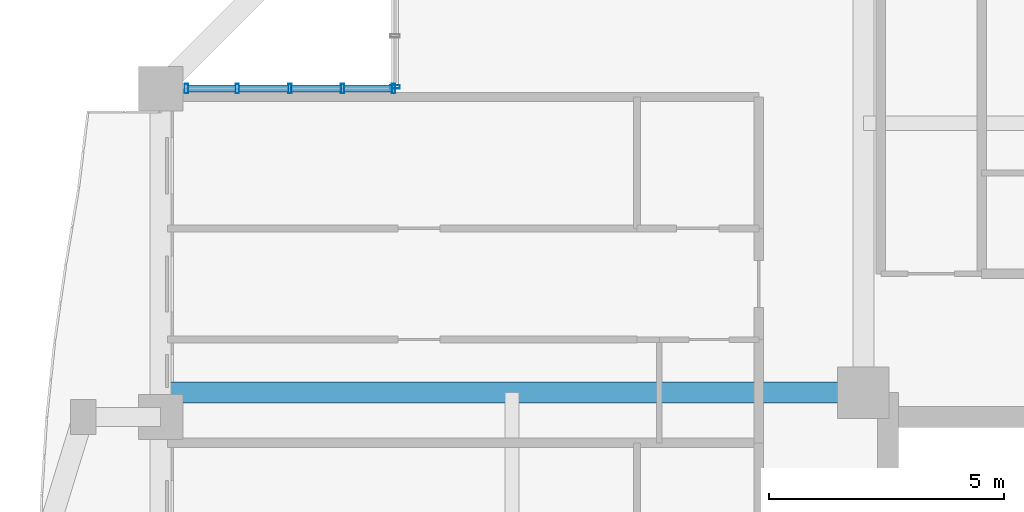
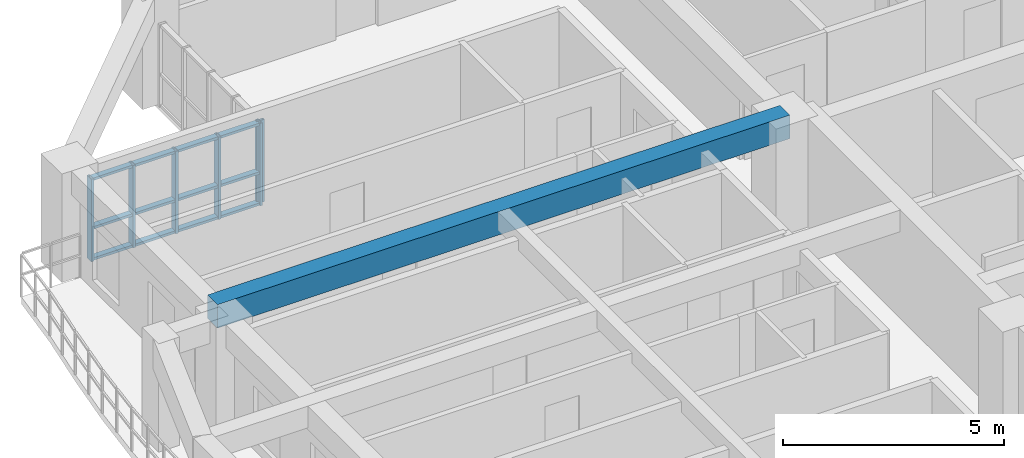
# One storey, part 6 of 23: 18 members, 1 beam, 2 elements without a shape of their own.
"""IFC4 building model written with IfcOpenShell, lengths in metres."""

import ifcopenshell
import ifcopenshell.guid

model = None  # the IFC model being written
_history = None  # IfcOwnerHistory: only IFC2X3 demands one
_inside = {}  # id of a spatial element -> (the spatial element, [elements in it])
_under = {}  # id of a project, library or spatial element -> (it, [spatial elements below it])
_declared = {}  # id of a project -> (the project, [libraries it declares])
_typed = {}  # id of a type object -> (the type object, [elements of that type])
_made_of = {}  # id of a material, layer set ... -> (it, [elements and type objects made of it])


def new_model(schema):
    """Start an empty IFC model of exactly this schema.

    Asked for "IFC4X3", IfcOpenShell would pick the latest addendum, in which some entities
    have other attributes; the version numbers below select the first issue.
    IFC2X3 requires an IfcOwnerHistory on every rooted entity: one is made here for all.
    """
    global model, _history
    if schema == "IFC4X3":
        model = ifcopenshell.file(schema_version=(4, 3, 0, 0))
    else:
        model = ifcopenshell.file(schema=schema)
    _inside.clear()
    _under.clear()
    _declared.clear()
    _typed.clear()
    _made_of.clear()
    _history = None
    if model.schema == "IFC2X3":
        org = make("IfcOrganization", Name="unknown")
        user = make(
            "IfcPersonAndOrganization",
            ThePerson=make("IfcPerson", FamilyName="unknown"),
            TheOrganization=org,
        )
        app = make(
            "IfcApplication",
            ApplicationDeveloper=org,
            Version="unknown",
            ApplicationFullName="unknown",
            ApplicationIdentifier="unknown",
        )
        _history = make(
            "IfcOwnerHistory",
            OwningUser=user,
            OwningApplication=app,
            ChangeAction="ADDED",
            CreationDate=0,
        )
    return model


def make(cls, **values):
    """One entity of the class cls with the attributes given. An attribute that is None is left unset."""
    return model.create_entity(
        cls, **{name: value for name, value in values.items() if value is not None}
    )


def rooted(cls, **values):
    """An entity with a GlobalId (a new one), such as an element, a storey or a relation."""
    return make(cls, GlobalId=ifcopenshell.guid.new(), OwnerHistory=_history, **values)


def si_unit(unit_type, name, prefix=None):
    """IfcSIUnit, for example si_unit("LENGTHUNIT", "METRE", prefix="MILLI")."""
    return make("IfcSIUnit", UnitType=unit_type, Prefix=prefix, Name=name)


def assignment(units):
    """IfcUnitAssignment: the units of a project."""
    return None if units is None else make("IfcUnitAssignment", Units=units)


def point(xyz):
    """IfcCartesianPoint."""
    return None if xyz is None else make("IfcCartesianPoint", Coordinates=xyz)


def direction(xyz):
    """IfcDirection."""
    return None if xyz is None else make("IfcDirection", DirectionRatios=xyz)


def frame(location, z_axis=None, x_axis=None):
    """IfcAxis2Placement3D, a coordinate frame: its origin and axes. An axis left out is left unset."""
    return make(
        "IfcAxis2Placement3D",
        Location=point(location),
        Axis=direction(z_axis),
        RefDirection=direction(x_axis),
    )


def frame_2d(location, x_axis=None):
    """IfcAxis2Placement2D, a coordinate frame in the plane: its origin and x axis."""
    return make(
        "IfcAxis2Placement2D", Location=point(location), RefDirection=direction(x_axis)
    )


def origin():
    """The frame at (0, 0, 0) with its axes left unset."""
    return frame((0.0, 0.0, 0.0))


def origin_2d():
    """The frame at (0, 0) in the plane with its x axis left unset."""
    return frame_2d((0.0, 0.0))


def place(relative_to, where):
    """IfcLocalPlacement: puts the frame where relative to a parent placement (None: the world)."""
    return make(
        "IfcLocalPlacement", PlacementRelTo=relative_to, RelativePlacement=where
    )


def context(
    kind, dimensions, precision=None, world=None, true_north=None, identifier=None
):
    """IfcGeometricRepresentationContext, for example the 3D "Model" context."""
    return make(
        "IfcGeometricRepresentationContext",
        ContextIdentifier=identifier,
        ContextType=kind,
        CoordinateSpaceDimension=dimensions,
        Precision=precision,
        WorldCoordinateSystem=world,
        TrueNorth=true_north,
    )


def subcontext(parent, identifier, kind, view, scale=None):
    """IfcGeometricRepresentationSubContext, for example "Body" below "Model"."""
    return make(
        "IfcGeometricRepresentationSubContext",
        ContextIdentifier=identifier,
        ContextType=kind,
        ParentContext=parent,
        TargetScale=scale,
        TargetView=view,
    )


def project(units=None, contexts=None):
    """IfcProject with its units and contexts."""
    return rooted(
        "IfcProject",
        Name="project",
        RepresentationContexts=contexts,
        UnitsInContext=assignment(units),
    )


def spatial(cls, under=None, at=None, **own):
    """A site, building, storey or space (cls), placed at a placement, below another one or the project."""
    s = rooted(cls, ObjectPlacement=at, **own)
    if under is not None:
        _under.setdefault(under.id(), (under, []))[1].append(s)
    return s


def profile(cls, at=None, kind="AREA", **sizes):
    """A parametric profile (cls). Its sizes go by their IFC names, for example OverallWidth=200.0."""
    return make(cls, ProfileType=kind, Position=at, **sizes)


def rectangle(**sizes):
    """IfcRectangleProfileDef."""
    return profile("IfcRectangleProfileDef", **sizes)


def hollow_rectangle(**sizes):
    """IfcRectangleHollowProfileDef."""
    return profile("IfcRectangleHollowProfileDef", **sizes)


def extrude(swept, where, along, depth):
    """IfcExtrudedAreaSolid: the profile swept, set in the frame where, extruded along a direction by depth."""
    return make(
        "IfcExtrudedAreaSolid",
        SweptArea=swept,
        Position=where,
        ExtrudedDirection=direction(along),
        Depth=depth,
    )


def shape(context_of_items, identifier, shape_type, items):
    """IfcShapeRepresentation: the items that make up one representation, for example the "Body"."""
    return make(
        "IfcShapeRepresentation",
        ContextOfItems=context_of_items,
        RepresentationIdentifier=identifier,
        RepresentationType=shape_type,
        Items=items,
    )


def source(mapping_origin, context_of_items, identifier, shape_type, items):
    """IfcRepresentationMap: a shape defined once, which mapped items show again and again."""
    return make(
        "IfcRepresentationMap",
        MappingOrigin=mapping_origin,
        MappedRepresentation=shape(context_of_items, identifier, shape_type, items),
    )


def transform(
    local_origin,
    x_axis=None,
    y_axis=None,
    z_axis=None,
    scale=None,
    scale2=None,
    scale3=None,
    uniform=True,
):
    """IfcCartesianTransformationOperator3D, or its non-uniform kind. x_axis, y_axis, z_axis: its Axis1, 2, 3."""
    if uniform:
        return make(
            "IfcCartesianTransformationOperator3D",
            Axis1=direction(x_axis),
            Axis2=direction(y_axis),
            LocalOrigin=point(local_origin),
            Scale=scale,
            Axis3=direction(z_axis),
        )
    return make(
        "IfcCartesianTransformationOperator3DnonUniform",
        Axis1=direction(x_axis),
        Axis2=direction(y_axis),
        LocalOrigin=point(local_origin),
        Scale=scale,
        Axis3=direction(z_axis),
        Scale2=scale2,
        Scale3=scale3,
    )


def mapped(mapping_source, mapping_target):
    """IfcMappedItem: shows the shape of a source again, moved by a transform."""
    return make(
        "IfcMappedItem", MappingSource=mapping_source, MappingTarget=mapping_target
    )


def material(Name=None, Category=None):
    """IfcMaterial."""
    return make("IfcMaterial", Name=Name, Category=Category)


def layer(
    of_material, thickness, ventilated=None, Name=None, Category=None, Priority=None
):
    """IfcMaterialLayer: one layer of a wall or slab, of a material (None: an air gap)."""
    return make(
        "IfcMaterialLayer",
        Material=of_material,
        LayerThickness=thickness,
        IsVentilated=ventilated,
        Name=Name,
        Category=Category,
        Priority=Priority,
    )


def layer_set(layers, Name=None):
    """IfcMaterialLayerSet."""
    return make("IfcMaterialLayerSet", MaterialLayers=layers, LayerSetName=Name)


def material_profile(
    of_material, cross_section, Name=None, Category=None, Priority=None
):
    """IfcMaterialProfile: a cross section and its material."""
    return make(
        "IfcMaterialProfile",
        Name=Name,
        Material=of_material,
        Profile=cross_section,
        Priority=Priority,
        Category=Category,
    )


def profile_set(profiles, Name=None, composite=None):
    """IfcMaterialProfileSet."""
    return make(
        "IfcMaterialProfileSet",
        Name=Name,
        MaterialProfiles=profiles,
        CompositeProfile=composite,
    )


def made_of(thing, what):
    """Note that an element or type object is made of a material, layer set ...; save() writes the relation."""
    if what is not None:
        _made_of.setdefault(what.id(), (what, []))[1].append(thing)
    return thing


def type_object(cls, material=None, **own):
    """A type object (cls), such as IfcWallType, which elements share."""
    return made_of(rooted(cls, **own), material)


def element(
    cls,
    number,
    at=None,
    inside=None,
    cuts=None,
    type_object=None,
    material=None,
    context=None,
    identifier="Body",
    shape_type=None,
    held_by="IfcProductDefinitionShape",
    body=None,
    shapes=None,
    **own,
):
    """One element of the class cls, such as IfcWall. Its Tag is "e" and its number.

    at: its placement. inside: the storey or other place that contains it. cuts: it is an
    opening in that element (IfcRelVoidsElement). A single representation is given by context,
    identifier, shape_type and body (its items); several are given by shapes. held_by: the class
    of the entity that holds the representations. save() writes the other relations.
    """
    e = rooted(cls, Tag="e%d" % number, ObjectPlacement=at, **own)
    if body is not None:
        shapes = [shape(context, identifier, shape_type, body)]
    if shapes is not None:
        e.Representation = make(held_by, Representations=shapes)
    if inside is not None:
        _inside.setdefault(inside.id(), (inside, []))[1].append(e)
    if cuts is not None:
        rooted(
            "IfcRelVoidsElement", RelatingBuildingElement=cuts, RelatedOpeningElement=e
        )
    if type_object is not None:
        _typed.setdefault(type_object.id(), (type_object, []))[1].append(e)
    return made_of(e, material)


def aggregate(whole, parts):
    """IfcRelAggregates: a whole, such as a stair, and the parts it consists of."""
    return rooted("IfcRelAggregates", RelatingObject=whole, RelatedObjects=parts)


def save(model, path):
    """Write the relations noted so far, then the file.

    IfcRelAggregates (storeys below a building ...), IfcRelContainedInSpatialStructure (elements
    in a storey), IfcRelDefinesByType, IfcRelAssociatesMaterial and IfcRelDeclares: one each for
    every whole, place, type object, material and project.
    """
    for whole, parts in _under.values():
        aggregate(whole, parts)
    for where, things in _inside.values():
        rooted(
            "IfcRelContainedInSpatialStructure",
            RelatedElements=things,
            RelatingStructure=where,
        )
    for kind, things in _typed.values():
        rooted("IfcRelDefinesByType", RelatedObjects=things, RelatingType=kind)
    for what, things in _made_of.values():
        rooted("IfcRelAssociatesMaterial", RelatedObjects=things, RelatingMaterial=what)
    for by, libraries in _declared.values():
        rooted("IfcRelDeclares", RelatingContext=by, RelatedDefinitions=libraries)
    model.write(path)


model = new_model("IFC4")

# Units and contexts
model_context = context("Model", 3, precision=1e-05, world=origin(), true_north=direction((0.0, 1.0)))
body_context = subcontext(model_context, "Body", "Model", "MODEL_VIEW")
ifc_project = project(units=[si_unit("LENGTHUNIT", "METRE"), si_unit("AREAUNIT", "SQUARE_METRE"), si_unit("VOLUMEUNIT", "CUBIC_METRE"), si_unit("PLANEANGLEUNIT", "RADIAN"), si_unit("MASSUNIT", "GRAM", prefix="KILO")], contexts=[model_context])

# Site, building, storey
site_placement = place(None, origin())
site = spatial("IfcSite", under=ifc_project, at=site_placement, CompositionType="ELEMENT")
building_placement = place(site_placement, origin())
building = spatial("IfcBuilding", under=site, at=building_placement, Name="Saelheon Loggia Tower", CompositionType="ELEMENT")
storey_placement = place(building_placement, frame((0.0, 0.0, 156.10009765625)))
storey = spatial("IfcBuildingStorey", under=building, at=storey_placement, Name="L49", CompositionType="ELEMENT", Elevation=156.10009765625)

# Beam
ifc_material_1 = material(Name="Concrete C40/50", Category="concrete")
ifc_material_profile_1 = material_profile(ifc_material_1, rectangle(XDim=0.449951171875, YDim=0.64990234375, at=origin_2d()), Name="RC-450x650")
ifc_profile_set_1 = profile_set([ifc_material_profile_1], Name="Concrete C40/50")
beam_type = type_object("IfcBeamType", Name="Beam_TowerGirder_RC450x650", PredefinedType="BEAM", material=ifc_profile_set_1)
shared_shape_1 = source(origin(), body_context, "Body", "SweptSolid", [
    extrude(rectangle(XDim=0.449951171875, YDim=0.64990234375, at=origin_2d()), origin(), (0.0, 0.0, 1.0), 14.97998046875),
])
beam_placement = place(storey_placement, frame((30.97998046875, 36.52001953125, 2.6748046875), z_axis=(-1.0, 0.0, 0.0), x_axis=(0.0, -1.0, 0.0)))
element("IfcBeam", 1, at=beam_placement, inside=storey, type_object=beam_type, Name="L49 Radial Floor Girder RAD-NW-W", PredefinedType="BEAM", context=body_context, shape_type="MappedRepresentation", body=[
    mapped(shared_shape_1, transform((0.0, 0.0, 0.0), scale=1.0)),
])

# Curtain wall, member
ifc_material_2 = material(Name="High-Wind Aluminium and Triple Laminated Glass", Category="aluminium")
ifc_layer = layer(ifc_material_2, 0.179931640625)
ifc_layer_set = layer_set([ifc_layer], Name="High-Wind Aluminium and Triple Laminated Glass")
curtain_wall_type = type_object("IfcCurtainWallType", Name="CW_TowerLoggiaHigh", PredefinedType="NOTDEFINED", material=ifc_layer_set)
curtain_wall_1_placement = place(storey_placement, origin())
curtain_wall_1 = element("IfcCurtainWall", 2, at=curtain_wall_1_placement, inside=storey, type_object=curtain_wall_type, Name="L49 Corner Notch Glazing NW1", PredefinedType="NOTDEFINED")
ifc_material_3 = material(Name="Anodised Aluminium 6063-T6", Category="aluminium")
ifc_material_profile_2 = material_profile(ifc_material_3, hollow_rectangle(XDim=0.070068359375, YDim=0.199951171875, WallThickness=0.0048828125, at=origin_2d()), Name="RHS-200x70x5")
ifc_profile_set_2 = profile_set([ifc_material_profile_2], Name="Anodised Aluminium 6063-T6")
member_type_1 = type_object("IfcMemberType", Name="CW_TowerLoggiaHigh_Mullion", PredefinedType="MULLION", material=ifc_profile_set_2)
shared_shape_2 = source(origin(), body_context, "Body", "SweptSolid", [
    extrude(hollow_rectangle(XDim=0.070068359375, YDim=0.199951171875, WallThickness=0.0048828125, at=origin_2d()), origin(), (0.0, 0.0, 1.0), 2.27978515625),
])
member_1_placement = place(storey_placement, frame((21.0, 43.034912109375, 0.0), z_axis=(0.0, 0.0, 1.0), x_axis=(0.0, 1.0, 0.0)))
member_1 = element("IfcMember", 3, at=member_1_placement, type_object=member_type_1, Name="CW4 mullion 1", PredefinedType="MULLION", context=body_context, shape_type="MappedRepresentation", body=[
    mapped(shared_shape_2, transform((0.0, 0.0, 0.0), scale=1.0)),
])
aggregate(curtain_wall_1, [member_1])

# Curtain wall, members
curtain_wall_2_placement = place(storey_placement, origin())
curtain_wall_2 = element("IfcCurtainWall", 4, at=curtain_wall_2_placement, inside=storey, type_object=curtain_wall_type, Name="L49 Corner Notch Glazing NW2", PredefinedType="NOTDEFINED")
member_2_placement = place(storey_placement, frame((16.550048828125, 43.0, 0.0), z_axis=(0.0, 0.0, 1.0), x_axis=(1.0, 0.0, 0.0)))
member_2 = element("IfcMember", 5, at=member_2_placement, type_object=member_type_1, Name="CW4 mullion 1", PredefinedType="MULLION", context=body_context, shape_type="MappedRepresentation", body=[
    mapped(shared_shape_2, transform((0.0, 0.0, 0.0), scale=1.0)),
])
member_3_placement = place(storey_placement, frame((17.63623046875, 43.0, 0.0), z_axis=(0.0, 0.0, 1.0), x_axis=(1.0, 0.0, 0.0)))
member_3 = element("IfcMember", 6, at=member_3_placement, type_object=member_type_1, Name="CW4 mullion 2", PredefinedType="MULLION", context=body_context, shape_type="MappedRepresentation", body=[
    mapped(shared_shape_2, transform((0.0, 0.0, 0.0), scale=1.0)),
])
member_4_placement = place(storey_placement, frame((18.757568359375, 43.0, 0.0), z_axis=(0.0, 0.0, 1.0), x_axis=(1.0, 0.0, 0.0)))
member_4 = element("IfcMember", 7, at=member_4_placement, type_object=member_type_1, Name="CW4 mullion 3", PredefinedType="MULLION", context=body_context, shape_type="MappedRepresentation", body=[
    mapped(shared_shape_2, transform((0.0, 0.0, 0.0), scale=1.0)),
])
member_5_placement = place(storey_placement, frame((19.878662109375, 43.0, 0.0), z_axis=(0.0, 0.0, 1.0), x_axis=(1.0, 0.0, 0.0)))
member_5 = element("IfcMember", 8, at=member_5_placement, type_object=member_type_1, Name="CW4 mullion 4", PredefinedType="MULLION", context=body_context, shape_type="MappedRepresentation", body=[
    mapped(shared_shape_2, transform((0.0, 0.0, 0.0), scale=1.0)),
])
member_6_placement = place(storey_placement, frame((20.965087890625, 43.0, 0.0), z_axis=(0.0, 0.0, 1.0), x_axis=(1.0, 0.0, 0.0)))
member_6 = element("IfcMember", 9, at=member_6_placement, type_object=member_type_1, Name="CW4 mullion 5", PredefinedType="MULLION", context=body_context, shape_type="MappedRepresentation", body=[
    mapped(shared_shape_2, transform((0.0, 0.0, 0.0), scale=1.0)),
])
ifc_material_profile_3 = material_profile(ifc_material_3, hollow_rectangle(XDim=0.070068359375, YDim=0.14990234375, WallThickness=0.0048828125, at=origin_2d()), Name="RHS-150x70x5")
ifc_profile_set_3 = profile_set([ifc_material_profile_3], Name="Anodised Aluminium 6063-T6")
member_type_2 = type_object("IfcMemberType", Name="CW_TowerLoggiaHigh_Transom", PredefinedType="USERDEFINED", material=ifc_profile_set_3)
shared_shape_3 = source(origin(), body_context, "Body", "SweptSolid", [
    extrude(hollow_rectangle(XDim=0.070068359375, YDim=0.14990234375, WallThickness=0.0048828125, at=origin_2d()), origin(), (0.0, 0.0, 1.0), 1.016357421875),
])
member_7_placement = place(storey_placement, frame((16.5849609375, 43.0, 0.034912109375), z_axis=(1.0, 0.0, 0.0), x_axis=(0.0, 0.0, 1.0)))
member_7 = element("IfcMember", 10, at=member_7_placement, type_object=member_type_2, Name="CW4 transom 1.1", ObjectType="TRANSOM", PredefinedType="USERDEFINED", context=body_context, shape_type="MappedRepresentation", body=[
    mapped(shared_shape_3, transform((0.0, 0.0, 0.0), scale=1.0)),
])
member_8_placement = place(storey_placement, frame((16.5849609375, 43.0, 0.89990234375), z_axis=(1.0, 0.0, 0.0), x_axis=(0.0, 0.0, 1.0)))
member_8 = element("IfcMember", 11, at=member_8_placement, type_object=member_type_2, Name="CW4 transom 1.2", ObjectType="TRANSOM", PredefinedType="USERDEFINED", context=body_context, shape_type="MappedRepresentation", body=[
    mapped(shared_shape_3, transform((0.0, 0.0, 0.0), scale=1.0)),
])
member_9_placement = place(storey_placement, frame((16.5849609375, 43.0, 2.244873046875), z_axis=(1.0, 0.0, 0.0), x_axis=(0.0, 0.0, 1.0)))
member_9 = element("IfcMember", 12, at=member_9_placement, type_object=member_type_2, Name="CW4 transom 1.3", ObjectType="TRANSOM", PredefinedType="USERDEFINED", context=body_context, shape_type="MappedRepresentation", body=[
    mapped(shared_shape_3, transform((0.0, 0.0, 0.0), scale=1.0)),
])
shared_shape_4 = source(origin(), body_context, "Body", "SweptSolid", [
    extrude(hollow_rectangle(XDim=0.070068359375, YDim=0.14990234375, WallThickness=0.0048828125, at=origin_2d()), origin(), (0.0, 0.0, 1.0), 1.05126953125),
])
member_10_placement = place(storey_placement, frame((17.671142578125, 43.0, 0.034912109375), z_axis=(1.0, 0.0, 0.0), x_axis=(0.0, 0.0, 1.0)))
member_10 = element("IfcMember", 13, at=member_10_placement, type_object=member_type_2, Name="CW4 transom 2.1", ObjectType="TRANSOM", PredefinedType="USERDEFINED", context=body_context, shape_type="MappedRepresentation", body=[
    mapped(shared_shape_4, transform((0.0, 0.0, 0.0), scale=1.0)),
])
member_11_placement = place(storey_placement, frame((17.671142578125, 43.0, 0.89990234375), z_axis=(1.0, 0.0, 0.0), x_axis=(0.0, 0.0, 1.0)))
member_11 = element("IfcMember", 14, at=member_11_placement, type_object=member_type_2, Name="CW4 transom 2.2", ObjectType="TRANSOM", PredefinedType="USERDEFINED", context=body_context, shape_type="MappedRepresentation", body=[
    mapped(shared_shape_4, transform((0.0, 0.0, 0.0), scale=1.0)),
])
member_12_placement = place(storey_placement, frame((17.671142578125, 43.0, 2.244873046875), z_axis=(1.0, 0.0, 0.0), x_axis=(0.0, 0.0, 1.0)))
member_12 = element("IfcMember", 15, at=member_12_placement, type_object=member_type_2, Name="CW4 transom 2.3", ObjectType="TRANSOM", PredefinedType="USERDEFINED", context=body_context, shape_type="MappedRepresentation", body=[
    mapped(shared_shape_4, transform((0.0, 0.0, 0.0), scale=1.0)),
])
member_13_placement = place(storey_placement, frame((18.79248046875, 43.0, 0.034912109375), z_axis=(1.0, 0.0, 0.0), x_axis=(0.0, 0.0, 1.0)))
member_13 = element("IfcMember", 16, at=member_13_placement, type_object=member_type_2, Name="CW4 transom 3.1", ObjectType="TRANSOM", PredefinedType="USERDEFINED", context=body_context, shape_type="MappedRepresentation", body=[
    mapped(shared_shape_4, transform((0.0, 0.0, 0.0), scale=1.0)),
])
member_14_placement = place(storey_placement, frame((18.79248046875, 43.0, 0.89990234375), z_axis=(1.0, 0.0, 0.0), x_axis=(0.0, 0.0, 1.0)))
member_14 = element("IfcMember", 17, at=member_14_placement, type_object=member_type_2, Name="CW4 transom 3.2", ObjectType="TRANSOM", PredefinedType="USERDEFINED", context=body_context, shape_type="MappedRepresentation", body=[
    mapped(shared_shape_4, transform((0.0, 0.0, 0.0), scale=1.0)),
])
member_15_placement = place(storey_placement, frame((18.79248046875, 43.0, 2.244873046875), z_axis=(1.0, 0.0, 0.0), x_axis=(0.0, 0.0, 1.0)))
member_15 = element("IfcMember", 18, at=member_15_placement, type_object=member_type_2, Name="CW4 transom 3.3", ObjectType="TRANSOM", PredefinedType="USERDEFINED", context=body_context, shape_type="MappedRepresentation", body=[
    mapped(shared_shape_4, transform((0.0, 0.0, 0.0), scale=1.0)),
])
shared_shape_5 = source(origin(), body_context, "Body", "SweptSolid", [
    extrude(hollow_rectangle(XDim=0.070068359375, YDim=0.14990234375, WallThickness=0.0048828125, at=origin_2d()), origin(), (0.0, 0.0, 1.0), 1.01611328125),
])
member_16_placement = place(storey_placement, frame((19.913818359375, 43.0, 0.034912109375), z_axis=(1.0, 0.0, 0.0), x_axis=(0.0, 0.0, 1.0)))
member_16 = element("IfcMember", 19, at=member_16_placement, type_object=member_type_2, Name="CW4 transom 4.1", ObjectType="TRANSOM", PredefinedType="USERDEFINED", context=body_context, shape_type="MappedRepresentation", body=[
    mapped(shared_shape_5, transform((0.0, 0.0, 0.0), scale=1.0)),
])
member_17_placement = place(storey_placement, frame((19.913818359375, 43.0, 0.89990234375), z_axis=(1.0, 0.0, 0.0), x_axis=(0.0, 0.0, 1.0)))
member_17 = element("IfcMember", 20, at=member_17_placement, type_object=member_type_2, Name="CW4 transom 4.2", ObjectType="TRANSOM", PredefinedType="USERDEFINED", context=body_context, shape_type="MappedRepresentation", body=[
    mapped(shared_shape_5, transform((0.0, 0.0, 0.0), scale=1.0)),
])
member_18_placement = place(storey_placement, frame((19.913818359375, 43.0, 2.244873046875), z_axis=(1.0, 0.0, 0.0), x_axis=(0.0, 0.0, 1.0)))
member_18 = element("IfcMember", 21, at=member_18_placement, type_object=member_type_2, Name="CW4 transom 4.3", ObjectType="TRANSOM", PredefinedType="USERDEFINED", context=body_context, shape_type="MappedRepresentation", body=[
    mapped(shared_shape_5, transform((0.0, 0.0, 0.0), scale=1.0)),
])
aggregate(curtain_wall_2, [member_2, member_3, member_4, member_5, member_6, member_7, member_8, member_9, member_10, member_11, member_12, member_13, member_14, member_15, member_16, member_17, member_18])

save(model, "model.ifc")
